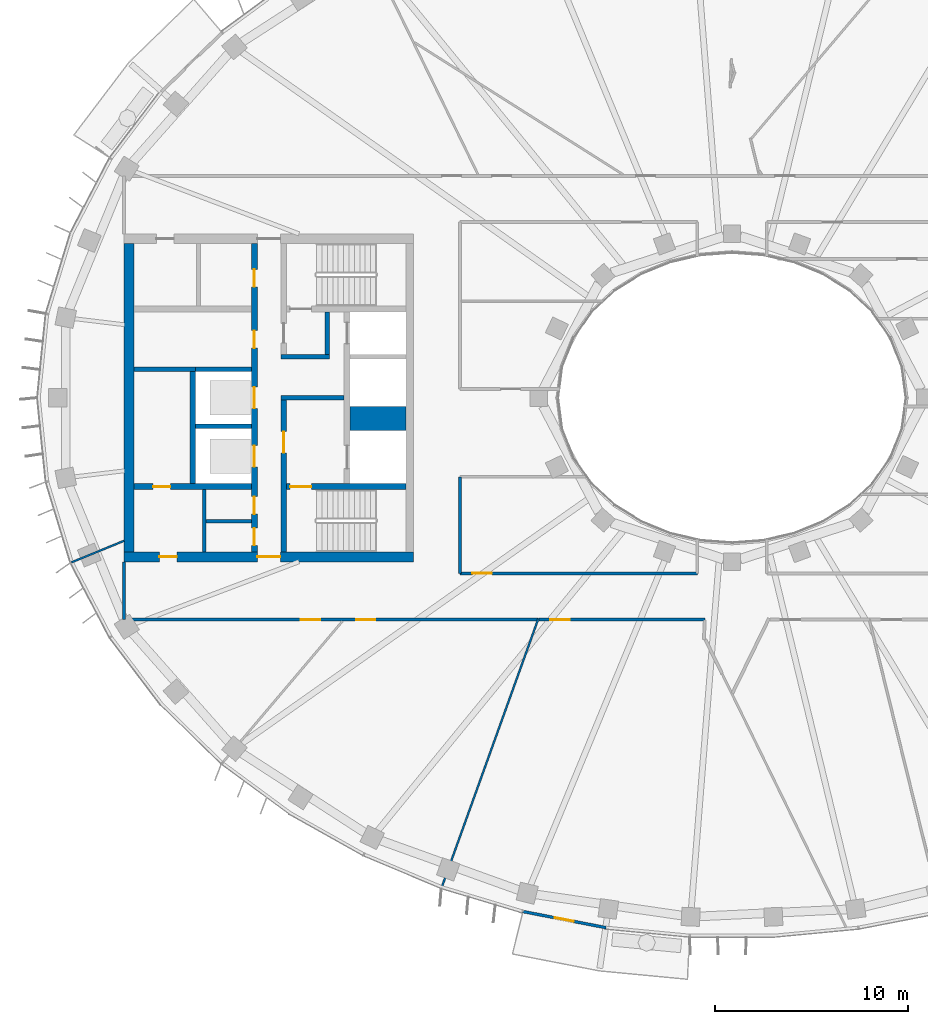
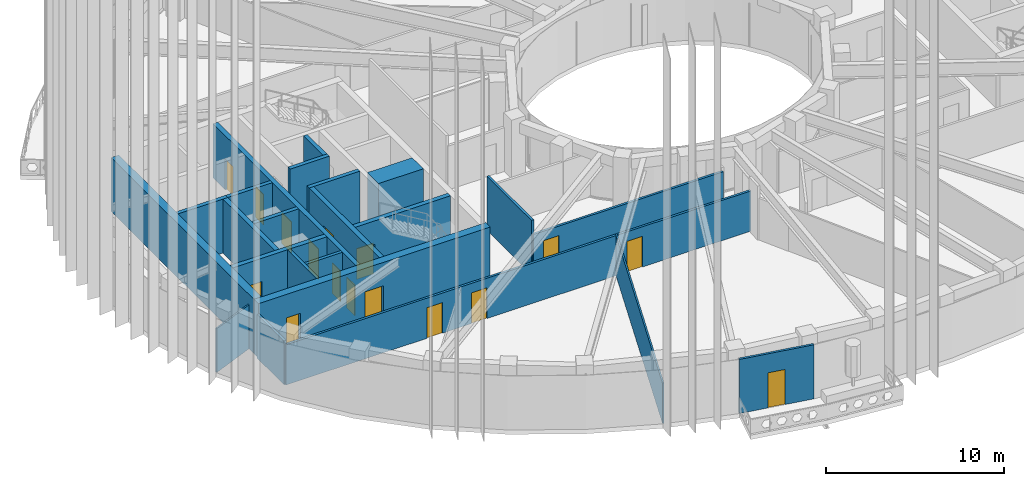
# One storey, part 3 of 17: 24 walls, 16 doors, 16 openings.
"""IFC4 building model written with IfcOpenShell, lengths in metres."""

from ifc_helpers import new_model, si_unit, direction, frame, frame_2d, origin, place, context, subcontext, project, spatial, rectangle, extrude, material, layer, layer_set, type_object, element, fill, save


model = new_model("IFC4")

# Units and contexts
model_context = context("Model", 3, precision=1e-05, world=origin(), true_north=direction((0.0, 1.0)))
body_context = subcontext(model_context, "Body", "Model", "MODEL_VIEW")
ifc_project = project(units=[si_unit("LENGTHUNIT", "METRE"), si_unit("AREAUNIT", "SQUARE_METRE"), si_unit("VOLUMEUNIT", "CUBIC_METRE"), si_unit("PLANEANGLEUNIT", "RADIAN"), si_unit("MASSUNIT", "GRAM", prefix="KILO")], contexts=[model_context])

# Site, building, storey
site_placement = place(None, origin())
site = spatial("IfcSite", under=ifc_project, at=site_placement, CompositionType="ELEMENT")
building_placement = place(site_placement, origin())
building = spatial("IfcBuilding", under=site, at=building_placement, Name="Noorbagh Ring Tower", CompositionType="ELEMENT")
storey_placement = place(building_placement, frame((0.0, 0.0, 291.0)))
storey = spatial("IfcBuildingStorey", under=building, at=storey_placement, Name="L62", CompositionType="ELEMENT", Elevation=291.0)

# Walls
ifc_material_1 = material(Name="Gypsum board on steel studs", Category="steel")
ifc_layer_1 = layer(ifc_material_1, 0.199951171875)
ifc_layer_set_1 = layer_set([ifc_layer_1], Name="Gypsum board on steel studs")
wall_type_1 = type_object("IfcWallType", Name="CORE-PARTITION-200", PredefinedType="PARTITIONING", material=ifc_layer_set_1)
wall_1_placement = place(storey_placement, frame((-27.35009765625, -8.0, 0.0), z_axis=(0.0, 0.0, 1.0), x_axis=(0.0, 1.0, 0.0)))
element("IfcWall", 1, at=wall_1_placement, inside=storey, type_object=wall_type_1, Name="Core partition W", PredefinedType="PARTITIONING", context=body_context, shape_type="SweptSolid", body=[
    extrude(rectangle(XDim=3.25, YDim=0.199951171875, at=frame_2d((1.625, 0.0))), origin(), (0.0, 0.0, 1.0), 3.699951171875),
])
wall_2_placement = place(storey_placement, frame((-24.89990234375, -6.39990234375, 0.0), z_axis=(0.0, 0.0, 1.0), x_axis=(-1.0, 0.0, 0.0)))
element("IfcWall", 2, at=wall_2_placement, inside=storey, type_object=wall_type_1, Name="Core partition W", PredefinedType="PARTITIONING", context=body_context, shape_type="SweptSolid", body=[
    extrude(rectangle(XDim=2.35009765625, YDim=0.199951171875, at=frame_2d((1.175048828125, 0.0))), origin(), (0.0, 0.0, 1.0), 3.699951171875),
])
ifc_material_2 = material(Name="Concrete C50/60", Category="concrete")
ifc_layer_2 = layer(ifc_material_2, 1.25)
ifc_layer_set_2 = layer_set([ifc_layer_2], Name="Concrete C50/60")
wall_type_2 = type_object("IfcWallType", Name="CORE-WALL-1250-C50-60-EI120", PredefinedType="SHEAR", material=ifc_layer_set_2)
wall_3_placement = place(storey_placement, frame((-16.89990234375, -1.074951171875, 0.0), z_axis=(0.0, 0.0, 1.0), x_axis=(-1.0, 0.0, 0.0)))
element("IfcWall", 3, at=wall_3_placement, inside=storey, type_object=wall_type_2, Name="Core wall W", PredefinedType="SHEAR", context=body_context, shape_type="SweptSolid", body=[
    extrude(rectangle(XDim=2.900146484375, YDim=1.25, at=frame_2d((1.4501953125, 0.0))), origin(), (0.0, 0.0, 1.0), 3.699951171875),
])
ifc_material_3 = material(Name="Concrete C50/60", Category="concrete")
ifc_layer_3 = layer(ifc_material_3, 0.25)
ifc_layer_set_3 = layer_set([ifc_layer_3], Name="Concrete C50/60")
wall_type_3 = type_object("IfcWallType", Name="CORE-WALL-250-C50-60-EI120", PredefinedType="SHEAR", material=ifc_layer_set_3)
wall_4_placement = place(storey_placement, frame((-27.800048828125, 1.47509765625, 0.0), z_axis=(0.0, 0.0, 1.0), x_axis=(-1.0, 0.0, 0.0)))
element("IfcWall", 4, at=wall_4_placement, inside=storey, type_object=wall_type_3, Name="Core wall W", PredefinedType="SHEAR", context=body_context, shape_type="SweptSolid", body=[
    extrude(rectangle(XDim=3.199951171875, YDim=0.25, at=frame_2d((1.60009765625, 0.0))), origin(), (0.0, 0.0, 1.0), 3.699951171875),
])
for number, where, z_axis, x_axis, name in (
    (5, (-24.89990234375, -1.47509765625, 0.0), (0.0, 0.0, 1.0), (-1.0, 0.0, 0.0), "Core wall W"),
    (6, (-24.89990234375, 1.47509765625, 0.0), (0.0, 0.0, 1.0), (-1.0, 0.0, 0.0), "Core wall W"),
):
    element("IfcWall", number, at=place(storey_placement, frame(where, z_axis=z_axis, x_axis=x_axis)), inside=storey, type_object=wall_type_3, Name=name, PredefinedType="SHEAR", context=body_context, shape_type="SweptSolid", body=[
        extrude(rectangle(XDim=2.900146484375, YDim=0.25, at=frame_2d((1.4501953125, 0.0))), origin(), (0.0, 0.0, 1.0), 3.699951171875),
    ])
ifc_material_4 = material(Name="Concrete C50/60", Category="concrete")
ifc_layer_4 = layer(ifc_material_4, 0.25)
ifc_layer_set_4 = layer_set([ifc_layer_4], Name="Concrete C50/60")
wall_type_4 = type_object("IfcWallType", Name="CORE-WALL-250-C50-60-EI240", PredefinedType="SHEAR", material=ifc_layer_set_4)
wall_5_placement = place(storey_placement, frame((-20.10009765625, 0.0, 0.0), z_axis=(0.0, 0.0, 1.0), x_axis=(-1.0, 0.0, 0.0)))
element("IfcWall", 7, at=wall_5_placement, inside=storey, type_object=wall_type_4, Name="Core wall W", PredefinedType="SHEAR", context=body_context, shape_type="SweptSolid", body=[
    extrude(rectangle(XDim=3.27978515625, YDim=0.25, at=frame_2d((1.639892578125, 0.0))), origin(), (0.0, 0.0, 1.0), 3.699951171875),
])
wall_6_placement = place(storey_placement, frame((-20.85009765625, 2.125, 0.0), z_axis=(0.0, 0.0, 1.0), x_axis=(-1.0, 0.0, 0.0)))
element("IfcWall", 8, at=wall_6_placement, inside=storey, type_object=wall_type_4, Name="Core wall W", PredefinedType="SHEAR", context=body_context, shape_type="SweptSolid", body=[
    extrude(rectangle(XDim=2.52978515625, YDim=0.25, at=frame_2d((1.264892578125, 0.0))), origin(), (0.0, 0.0, 1.0), 3.699951171875),
])
wall_7_placement = place(storey_placement, frame((-20.97509765625, 2.25, 0.0), z_axis=(0.0, 0.0, 1.0), x_axis=(0.0, 1.0, 0.0)))
element("IfcWall", 9, at=wall_7_placement, inside=storey, type_object=wall_type_4, Name="Core wall W", PredefinedType="SHEAR", context=body_context, shape_type="SweptSolid", body=[
    extrude(rectangle(XDim=2.199951171875, YDim=0.25, at=frame_2d((1.10009765625, 0.0))), origin(), (0.0, 0.0, 1.0), 3.699951171875),
])
ifc_material_5 = material(Name="Concrete C50/60", Category="concrete")
ifc_layer_5 = layer(ifc_material_5, 0.300048828125)
ifc_layer_set_5 = layer_set([ifc_layer_5], Name="Concrete C50/60")
wall_type_5 = type_object("IfcWallType", Name="CORE-WALL-300-C50-60-EI120", PredefinedType="SHEAR", material=ifc_layer_set_5)
wall_8_placement = place(storey_placement, frame((-27.949951171875, -4.449951171875, 0.0), z_axis=(0.0, 0.0, 1.0), x_axis=(0.0, 1.0, 0.0)))
element("IfcWall", 10, at=wall_8_placement, inside=storey, type_object=wall_type_5, Name="Core wall W", PredefinedType="SHEAR", context=body_context, shape_type="SweptSolid", body=[
    extrude(rectangle(XDim=5.800048828125, YDim=0.300048828125, at=frame_2d((2.89990234375, 0.0))), origin(), (0.0, 0.0, 1.0), 3.699951171875),
])

# Wall, openings, doors
wall_9_placement = place(storey_placement, frame((-24.75, -8.0, 0.0), z_axis=(0.0, 0.0, 1.0), x_axis=(0.0, 1.0, 0.0)))
wall_9 = element("IfcWall", 11, at=wall_9_placement, inside=storey, type_object=wall_type_5, Name="Core wall W", PredefinedType="SHEAR", context=body_context, shape_type="SweptSolid", body=[
    extrude(rectangle(XDim=16.0, YDim=0.300048828125, at=frame_2d((8.0, 0.0))), origin(), (0.0, 0.0, 1.0), 3.699951171875),
])
opening_1_placement = place(wall_9_placement, frame((4.425048828125, 0.0, 0.0)))
opening_1 = element("IfcOpeningElement", 12, at=opening_1_placement, cuts=wall_9, Name="Opening L62-CW03", PredefinedType="OPENING", context=body_context, shape_type="SweptSolid", body=[
    extrude(rectangle(XDim=1.10009765625, YDim=2.10009765625, at=frame_2d((0.550048828125, 1.050048828125))), frame((0.0, 0.16015625, 0.0), z_axis=(0.0, -1.0, 0.0), x_axis=(1.0, 0.0, 0.0)), (0.0, 0.0, 1.0), 0.320068359375),
])
opening_2_placement = place(wall_9_placement, frame((7.449951171875, 0.0, 0.0)))
opening_2 = element("IfcOpeningElement", 13, at=opening_2_placement, cuts=wall_9, Name="Opening L62-CW04", PredefinedType="OPENING", context=body_context, shape_type="SweptSolid", body=[
    extrude(rectangle(XDim=1.10009765625, YDim=2.10009765625, at=frame_2d((0.550048828125, 1.050048828125))), frame((0.0, 0.16015625, 0.0), z_axis=(0.0, -1.0, 0.0), x_axis=(1.0, 0.0, 0.0)), (0.0, 0.0, 1.0), 0.320068359375),
])
opening_3_placement = place(wall_9_placement, frame((10.574951171875, 0.0, 0.0)))
opening_3 = element("IfcOpeningElement", 14, at=opening_3_placement, cuts=wall_9, Name="Opening L62-CW11", PredefinedType="OPENING", context=body_context, shape_type="SweptSolid", body=[
    extrude(rectangle(XDim=0.89990234375, YDim=2.10009765625, at=frame_2d((0.449951171875, 1.050048828125))), frame((0.0, 0.16015625, 0.0), z_axis=(0.0, -1.0, 0.0), x_axis=(1.0, 0.0, 0.0)), (0.0, 0.0, 1.0), 0.320068359375),
])
opening_4_placement = place(wall_9_placement, frame((13.75, 0.0, 0.0)))
opening_4 = element("IfcOpeningElement", 15, at=opening_4_placement, cuts=wall_9, Name="Opening L62-CW12", PredefinedType="OPENING", context=body_context, shape_type="SweptSolid", body=[
    extrude(rectangle(XDim=0.89990234375, YDim=2.10009765625, at=frame_2d((0.449951171875, 1.050048828125))), frame((0.0, 0.16015625, 0.0), z_axis=(0.0, -1.0, 0.0), x_axis=(1.0, 0.0, 0.0)), (0.0, 0.0, 1.0), 0.320068359375),
])
opening_5_placement = place(wall_9_placement, frame((1.97509765625, 0.0, 0.0)))
opening_5 = element("IfcOpeningElement", 16, at=opening_5_placement, cuts=wall_9, Name="Opening L62-CW14", PredefinedType="OPENING", context=body_context, shape_type="SweptSolid", body=[
    extrude(rectangle(XDim=0.89990234375, YDim=2.10009765625, at=frame_2d((0.449951171875, 1.050048828125))), frame((0.0, 0.16015625, 0.0), z_axis=(0.0, -1.0, 0.0), x_axis=(1.0, 0.0, 0.0)), (0.0, 0.0, 1.0), 0.320068359375),
])
opening_6_placement = place(wall_9_placement, frame((0.35009765625, 0.0, 0.0)))
opening_6 = element("IfcOpeningElement", 17, at=opening_6_placement, cuts=wall_9, Name="Opening L62-CW15", PredefinedType="OPENING", context=body_context, shape_type="SweptSolid", body=[
    extrude(rectangle(XDim=0.89990234375, YDim=2.10009765625, at=frame_2d((0.449951171875, 1.050048828125))), frame((0.0, 0.16015625, 0.0), z_axis=(0.0, -1.0, 0.0), x_axis=(1.0, 0.0, 0.0)), (0.0, 0.0, 1.0), 0.320068359375),
])
ifc_material_6 = material(Name="Steel door leaf", Category="steel")
door_type_1 = type_object("IfcDoorType", Name="CORE-DOOR-DROOM", OperationType="SINGLE_SWING_LEFT", PredefinedType="DOOR", material=ifc_material_6)
door_1_placement = place(opening_3_placement, origin())
door_1 = element("IfcDoor", 18, at=door_1_placement, inside=storey, type_object=door_type_1, Name="Core room door L62-CW11", OperationType="SINGLE_SWING_RIGHT", OverallHeight=2.10009765625, OverallWidth=0.89990234375, PredefinedType="DOOR", context=body_context, shape_type="SweptSolid", body=[
    extrude(rectangle(XDim=0.89990234375, YDim=2.10009765625, at=frame_2d((0.449951171875, 1.050048828125))), frame((0.0, 0.02490234375, 0.0), z_axis=(0.0, -1.0, 0.0), x_axis=(1.0, 0.0, 0.0)), (0.0, 0.0, 1.0), 0.050048828125),
])
fill(opening_3, door_1)
door_2_placement = place(opening_4_placement, origin())
door_2 = element("IfcDoor", 19, at=door_2_placement, inside=storey, type_object=door_type_1, Name="Core room door L62-CW12", OperationType="SINGLE_SWING_RIGHT", OverallHeight=2.10009765625, OverallWidth=0.89990234375, PredefinedType="DOOR", context=body_context, shape_type="SweptSolid", body=[
    extrude(rectangle(XDim=0.89990234375, YDim=2.10009765625, at=frame_2d((0.449951171875, 1.050048828125))), frame((0.0, 0.02490234375, 0.0), z_axis=(0.0, -1.0, 0.0), x_axis=(1.0, 0.0, 0.0)), (0.0, 0.0, 1.0), 0.050048828125),
])
fill(opening_4, door_2)
door_3_placement = place(opening_5_placement, origin())
door_3 = element("IfcDoor", 20, at=door_3_placement, inside=storey, type_object=door_type_1, Name="Core room door L62-CW14", OperationType="SINGLE_SWING_RIGHT", OverallHeight=2.10009765625, OverallWidth=0.89990234375, PredefinedType="DOOR", context=body_context, shape_type="SweptSolid", body=[
    extrude(rectangle(XDim=0.89990234375, YDim=2.10009765625, at=frame_2d((0.449951171875, 1.050048828125))), frame((0.0, 0.02490234375, 0.0), z_axis=(0.0, -1.0, 0.0), x_axis=(1.0, 0.0, 0.0)), (0.0, 0.0, 1.0), 0.050048828125),
])
fill(opening_5, door_3)
door_4_placement = place(opening_6_placement, origin())
door_4 = element("IfcDoor", 21, at=door_4_placement, inside=storey, type_object=door_type_1, Name="Core room door L62-CW15", OperationType="SINGLE_SWING_LEFT", OverallHeight=2.10009765625, OverallWidth=0.89990234375, PredefinedType="DOOR", context=body_context, shape_type="SweptSolid", body=[
    extrude(rectangle(XDim=0.89990234375, YDim=2.10009765625, at=frame_2d((0.449951171875, 1.050048828125))), frame((0.0, 0.02490234375, 0.0), z_axis=(0.0, -1.0, 0.0), x_axis=(1.0, 0.0, 0.0)), (0.0, 0.0, 1.0), 0.050048828125),
])
fill(opening_6, door_4)
ifc_material_7 = material(Name="Steel door leaf", Category="steel")
door_type_2 = type_object("IfcDoorType", Name="CORE-DOOR-LD", OperationType="DOUBLE_DOOR_SLIDING", PredefinedType="DOOR", material=ifc_material_7)
door_5_placement = place(opening_1_placement, origin())
door_5 = element("IfcDoor", 22, at=door_5_placement, inside=storey, type_object=door_type_2, Name="Landing door HR5 L62-CW03", OperationType="DOUBLE_DOOR_SLIDING", OverallHeight=2.10009765625, OverallWidth=1.10009765625, PredefinedType="DOOR", context=body_context, shape_type="SweptSolid", body=[
    extrude(rectangle(XDim=1.10009765625, YDim=2.10009765625, at=frame_2d((0.550048828125, 1.050048828125))), frame((0.0, 0.02490234375, 0.0), z_axis=(0.0, -1.0, 0.0), x_axis=(1.0, 0.0, 0.0)), (0.0, 0.0, 1.0), 0.050048828125),
])
fill(opening_1, door_5)
door_6_placement = place(opening_2_placement, origin())
door_6 = element("IfcDoor", 23, at=door_6_placement, inside=storey, type_object=door_type_2, Name="Landing door HR6 L62-CW04", OperationType="DOUBLE_DOOR_SLIDING", OverallHeight=2.10009765625, OverallWidth=1.10009765625, PredefinedType="DOOR", context=body_context, shape_type="SweptSolid", body=[
    extrude(rectangle(XDim=1.10009765625, YDim=2.10009765625, at=frame_2d((0.550048828125, 1.050048828125))), frame((0.0, 0.02490234375, 0.0), z_axis=(0.0, -1.0, 0.0), x_axis=(1.0, 0.0, 0.0)), (0.0, 0.0, 1.0), 0.050048828125),
])
fill(opening_2, door_6)

# Wall, opening, door
ifc_material_8 = material(Name="Concrete C50/60", Category="concrete")
ifc_layer_6 = layer(ifc_material_8, 0.300048828125)
ifc_layer_set_6 = layer_set([ifc_layer_6], Name="Concrete C50/60")
wall_type_6 = type_object("IfcWallType", Name="CORE-WALL-300-C50-60-EI240", PredefinedType="SHEAR", material=ifc_layer_set_6)
wall_10_placement = place(storey_placement, frame((-24.89990234375, -4.60009765625, 0.0), z_axis=(0.0, 0.0, 1.0), x_axis=(-1.0, 0.0, 0.0)))
wall_10 = element("IfcWall", 24, at=wall_10_placement, inside=storey, type_object=wall_type_6, Name="Core wall W", PredefinedType="SHEAR", context=body_context, shape_type="SweptSolid", body=[
    extrude(rectangle(XDim=6.10009765625, YDim=0.300048828125, at=frame_2d((3.050048828125, 0.0))), origin(), (0.0, 0.0, 1.0), 3.699951171875),
])
opening_7_placement = place(wall_10_placement, frame((4.199951171875, 0.0, 0.0)))
opening_7 = element("IfcOpeningElement", 25, at=opening_7_placement, cuts=wall_10, Name="Opening L62-CW17", PredefinedType="OPENING", context=body_context, shape_type="SweptSolid", body=[
    extrude(rectangle(XDim=0.89990234375, YDim=2.10009765625, at=frame_2d((0.449951171875, 1.050048828125))), frame((0.0, 0.16015625, 0.0), z_axis=(0.0, -1.0, 0.0), x_axis=(1.0, 0.0, 0.0)), (0.0, 0.0, 1.0), 0.320068359375),
])
door_7_placement = place(opening_7_placement, origin())
door_7 = element("IfcDoor", 26, at=door_7_placement, inside=storey, type_object=door_type_1, Name="Core room door L62-CW17", OperationType="SINGLE_SWING_RIGHT", OverallHeight=2.10009765625, OverallWidth=0.89990234375, PredefinedType="DOOR", context=body_context, shape_type="SweptSolid", body=[
    extrude(rectangle(XDim=0.89990234375, YDim=2.10009765625, at=frame_2d((0.449951171875, 1.050048828125))), frame((0.0, 0.02490234375, 0.0), z_axis=(0.0, -1.0, 0.0), x_axis=(1.0, 0.0, 0.0)), (0.0, 0.0, 1.0), 0.050048828125),
])
fill(opening_7, door_7)

wall_11_placement = place(storey_placement, frame((-23.22998046875, -8.0, 0.0), z_axis=(0.0, 0.0, 1.0), x_axis=(0.0, 1.0, 0.0)))
wall_11 = element("IfcWall", 27, at=wall_11_placement, inside=storey, type_object=wall_type_6, Name="Core wall W", PredefinedType="SHEAR", context=body_context, shape_type="SweptSolid", body=[
    extrude(rectangle(XDim=7.875, YDim=0.300048828125, at=frame_2d((3.9375, 0.0))), origin(), (0.0, 0.0, 1.0), 3.699951171875),
])
opening_8_placement = place(wall_11_placement, frame((5.14990234375, 0.0, 0.0)))
opening_8 = element("IfcOpeningElement", 28, at=opening_8_placement, cuts=wall_11, Name="Opening L62-CW07", PredefinedType="OPENING", context=body_context, shape_type="SweptSolid", body=[
    extrude(rectangle(XDim=1.10009765625, YDim=2.10009765625, at=frame_2d((0.550048828125, 1.050048828125))), frame((0.0, 0.16015625, 0.0), z_axis=(0.0, -1.0, 0.0), x_axis=(1.0, 0.0, 0.0)), (0.0, 0.0, 1.0), 0.320068359375),
])
ifc_material_9 = material(Name="Steel door leaf", Category="steel")
door_type_3 = type_object("IfcDoorType", Name="CORE-DOOR-DFF", OperationType="SINGLE_SWING_LEFT", PredefinedType="DOOR", material=ifc_material_9)
door_8_placement = place(opening_8_placement, origin())
door_8 = element("IfcDoor", 29, at=door_8_placement, inside=storey, type_object=door_type_3, Name="Firefighting lobby door L62-CW07", OperationType="SINGLE_SWING_LEFT", OverallHeight=2.10009765625, OverallWidth=1.10009765625, PredefinedType="DOOR", context=body_context, shape_type="SweptSolid", body=[
    extrude(rectangle(XDim=1.10009765625, YDim=2.10009765625, at=frame_2d((0.550048828125, 1.050048828125))), frame((0.0, 0.02490234375, 0.0), z_axis=(0.0, -1.0, 0.0), x_axis=(1.0, 0.0, 0.0)), (0.0, 0.0, 1.0), 0.050048828125),
])
fill(opening_8, door_8)

wall_12_placement = place(storey_placement, frame((-16.89990234375, -4.60009765625, 0.0), z_axis=(0.0, 0.0, 1.0), x_axis=(-1.0, 0.0, 0.0)))
wall_12 = element("IfcWall", 30, at=wall_12_placement, inside=storey, type_object=wall_type_6, Name="Core wall W", PredefinedType="SHEAR", context=body_context, shape_type="SweptSolid", body=[
    extrude(rectangle(XDim=6.18017578125, YDim=0.300048828125, at=frame_2d((3.090087890625, 0.0))), origin(), (0.0, 0.0, 1.0), 3.699951171875),
])
opening_9_placement = place(wall_12_placement, frame((4.89990234375, 0.0, 0.0)))
opening_9 = element("IfcOpeningElement", 31, at=opening_9_placement, cuts=wall_12, Name="Opening L62-CW06", PredefinedType="OPENING", context=body_context, shape_type="SweptSolid", body=[
    extrude(rectangle(XDim=1.10009765625, YDim=2.10009765625, at=frame_2d((0.550048828125, 1.050048828125))), frame((0.0, 0.16015625, 0.0), z_axis=(0.0, -1.0, 0.0), x_axis=(1.0, 0.0, 0.0)), (0.0, 0.0, 1.0), 0.320068359375),
])
ifc_material_10 = material(Name="Steel door leaf", Category="steel")
door_type_4 = type_object("IfcDoorType", Name="CORE-DOOR-DSTAIR", OperationType="SINGLE_SWING_LEFT", PredefinedType="DOOR", material=ifc_material_10)
door_9_placement = place(opening_9_placement, origin())
door_9 = element("IfcDoor", 32, at=door_9_placement, inside=storey, type_object=door_type_4, Name="Stair door ST2 L62-CW06", OperationType="SINGLE_SWING_LEFT", OverallHeight=2.10009765625, OverallWidth=1.10009765625, PredefinedType="DOOR", context=body_context, shape_type="SweptSolid", body=[
    extrude(rectangle(XDim=1.10009765625, YDim=2.10009765625, at=frame_2d((0.550048828125, 1.050048828125))), frame((0.0, 0.02490234375, 0.0), z_axis=(0.0, -1.0, 0.0), x_axis=(1.0, 0.0, 0.0)), (0.0, 0.0, 1.0), 0.050048828125),
])
fill(opening_9, door_9)

# Wall, openings, doors
ifc_material_11 = material(Name="Concrete C50/60", Category="concrete")
ifc_layer_7 = layer(ifc_material_11, 0.5)
ifc_layer_set_7 = layer_set([ifc_layer_7], Name="Concrete C50/60")
wall_type_7 = type_object("IfcWallType", Name="CORE-WALL-500-C50-60-EI240", PredefinedType="SHEAR", material=ifc_layer_set_7)
wall_13_placement = place(storey_placement, frame((-16.5, -8.25, 0.0), z_axis=(0.0, 0.0, 1.0), x_axis=(-1.0, 0.0, 0.0)))
wall_13 = element("IfcWall", 33, at=wall_13_placement, inside=storey, type_object=wall_type_7, Name="Core wall W", PredefinedType="SHEAR", context=body_context, shape_type="SweptSolid", body=[
    extrude(rectangle(XDim=15.0, YDim=0.5, at=frame_2d((7.5, 0.0))), origin(), (0.0, 0.0, 1.0), 3.699951171875),
])
opening_10_placement = place(wall_13_placement, frame((6.89990234375, 0.0, 0.0)))
opening_10 = element("IfcOpeningElement", 34, at=opening_10_placement, cuts=wall_13, Name="Opening L62-CW10", PredefinedType="OPENING", context=body_context, shape_type="SweptSolid", body=[
    extrude(rectangle(XDim=1.199951171875, YDim=2.10009765625, at=frame_2d((0.60009765625, 1.050048828125))), frame((0.0, 0.260009765625, 0.0), z_axis=(0.0, -1.0, 0.0), x_axis=(1.0, 0.0, 0.0)), (0.0, 0.0, 1.0), 0.52001953125),
])
opening_11_placement = place(wall_13_placement, frame((12.27490234375, 0.0, 0.0)))
opening_11 = element("IfcOpeningElement", 35, at=opening_11_placement, cuts=wall_13, Name="Opening L62-CW16", PredefinedType="OPENING", context=body_context, shape_type="SweptSolid", body=[
    extrude(rectangle(XDim=0.89990234375, YDim=2.10009765625, at=frame_2d((0.449951171875, 1.050048828125))), frame((0.0, 0.260009765625, 0.0), z_axis=(0.0, -1.0, 0.0), x_axis=(1.0, 0.0, 0.0)), (0.0, 0.0, 1.0), 0.52001953125),
])
door_10_placement = place(opening_11_placement, origin())
door_10 = element("IfcDoor", 36, at=door_10_placement, inside=storey, type_object=door_type_1, Name="Core room door L62-CW16", OperationType="SINGLE_SWING_LEFT", OverallHeight=2.10009765625, OverallWidth=0.89990234375, PredefinedType="DOOR", context=body_context, shape_type="SweptSolid", body=[
    extrude(rectangle(XDim=0.89990234375, YDim=2.10009765625, at=frame_2d((0.449951171875, 1.050048828125))), frame((0.0, 0.02490234375, 0.0), z_axis=(0.0, -1.0, 0.0), x_axis=(1.0, 0.0, 0.0)), (0.0, 0.0, 1.0), 0.050048828125),
])
fill(opening_11, door_10)
ifc_material_12 = material(Name="Steel door leaf", Category="steel")
door_type_5 = type_object("IfcDoorType", Name="CORE-DOOR-PORT", OperationType="DOUBLE_DOOR_DOUBLE_SWING", PredefinedType="DOOR", material=ifc_material_12)
door_11_placement = place(opening_10_placement, origin())
door_11 = element("IfcDoor", 37, at=door_11_placement, inside=storey, type_object=door_type_5, Name="Core entrance door L62-CW10", OperationType="DOUBLE_DOOR_DOUBLE_SWING", OverallHeight=2.10009765625, OverallWidth=1.199951171875, PredefinedType="DOOR", context=body_context, shape_type="SweptSolid", body=[
    extrude(rectangle(XDim=1.199951171875, YDim=2.10009765625, at=frame_2d((0.60009765625, 1.050048828125))), frame((0.0, 0.02490234375, 0.0), z_axis=(0.0, -1.0, 0.0), x_axis=(1.0, 0.0, 0.0)), (0.0, 0.0, 1.0), 0.050048828125),
])
fill(opening_10, door_11)

# Walls
wall_14_placement = place(storey_placement, frame((-31.25, -8.0, 0.0), z_axis=(0.0, 0.0, 1.0), x_axis=(0.0, 1.0, 0.0)))
element("IfcWall", 38, at=wall_14_placement, inside=storey, type_object=wall_type_7, Name="Core wall W", PredefinedType="SHEAR", context=body_context, shape_type="SweptSolid", body=[
    extrude(rectangle(XDim=16.0, YDim=0.5, at=frame_2d((8.0, 0.0))), origin(), (0.0, 0.0, 1.0), 3.699951171875),
])
ifc_material_13 = material(Name="Gypsum board on steel studs", Category="steel")
ifc_layer_8 = layer(ifc_material_13, 0.14990234375)
ifc_layer_set_8 = layer_set([ifc_layer_8], Name="Gypsum board on steel studs")
wall_type_8 = type_object("IfcWallType", Name="CORRIDOR PARTITION 150 EI 30", PredefinedType="PARTITIONING", material=ifc_layer_set_8)
wall_15_placement = place(storey_placement, frame((-31.5, -11.5, 0.0), z_axis=(0.0, 0.0, 1.0), x_axis=(0.0, 1.0, 0.0)))
element("IfcWall", 39, at=wall_15_placement, inside=storey, type_object=wall_type_8, Name="L62/wall/P02", PredefinedType="PARTITIONING", context=body_context, shape_type="SweptSolid", body=[
    extrude(rectangle(XDim=3.0, YDim=0.14990234375, at=frame_2d((1.5, 0.0))), origin(), (0.0, 0.0, 1.0), 3.0),
])

# Wall, openings, doors
wall_16_placement = place(storey_placement, frame((-31.5, -11.5, 0.0), z_axis=(0.0, 0.0, 1.0), x_axis=(1.0, 0.0, 0.0)))
wall_16 = element("IfcWall", 40, at=wall_16_placement, inside=storey, type_object=wall_type_8, Name="L62/wall/P03", PredefinedType="PARTITIONING", context=body_context, shape_type="SweptSolid", body=[
    extrude(rectangle(XDim=21.431884765625, YDim=0.14990234375, at=frame_2d((10.7158203125, 0.0))), origin(), (0.0, 0.0, 1.0), 2.75),
])
opening_12_placement = place(wall_16_placement, frame((9.14990234375, 0.0, 0.0)))
opening_12 = element("IfcOpeningElement", 41, at=opening_12_placement, cuts=wall_16, Name="Opening D1", PredefinedType="OPENING", context=body_context, shape_type="SweptSolid", body=[
    extrude(rectangle(XDim=1.0, YDim=2.10009765625, at=frame_2d((0.5, 1.050048828125))), frame((0.0, 0.0849609375, 0.0), z_axis=(0.0, -1.0, 0.0), x_axis=(1.0, 0.0, 0.0)), (0.0, 0.0, 1.0), 0.169921875),
])
opening_13_placement = place(wall_16_placement, frame((12.02099609375, 0.0, 0.0)))
opening_13 = element("IfcOpeningElement", 42, at=opening_13_placement, cuts=wall_16, Name="Opening D1", PredefinedType="OPENING", context=body_context, shape_type="SweptSolid", body=[
    extrude(rectangle(XDim=1.0, YDim=2.10009765625, at=frame_2d((0.5, 1.050048828125))), frame((0.0, 0.0849609375, 0.0), z_axis=(0.0, -1.0, 0.0), x_axis=(1.0, 0.0, 0.0)), (0.0, 0.0, 1.0), 0.169921875),
])
ifc_material_14 = material(Name="Timber, painted", Category="wood")
door_type_6 = type_object("IfcDoorType", Name="DOOR 1000 X 2100 FD30", OperationType="SINGLE_SWING_LEFT", PredefinedType="DOOR", material=ifc_material_14)
door_12_placement = place(opening_12_placement, origin())
door_12 = element("IfcDoor", 43, at=door_12_placement, inside=storey, type_object=door_type_6, Name="L62-D06", OperationType="SINGLE_SWING_RIGHT", OverallHeight=2.10009765625, OverallWidth=1.0, PredefinedType="DOOR", context=body_context, shape_type="SweptSolid", body=[
    extrude(rectangle(XDim=1.0, YDim=2.10009765625, at=frame_2d((0.5, 1.050048828125))), frame((0.0, 0.02490234375, 0.0), z_axis=(0.0, -1.0, 0.0), x_axis=(1.0, 0.0, 0.0)), (0.0, 0.0, 1.0), 0.050048828125),
])
fill(opening_12, door_12)
door_13_placement = place(opening_13_placement, origin())
door_13 = element("IfcDoor", 44, at=door_13_placement, inside=storey, type_object=door_type_6, Name="L62-D07", OperationType="SINGLE_SWING_LEFT", OverallHeight=2.10009765625, OverallWidth=1.0, PredefinedType="DOOR", context=body_context, shape_type="SweptSolid", body=[
    extrude(rectangle(XDim=1.0, YDim=2.10009765625, at=frame_2d((0.5, 1.050048828125))), frame((0.0, 0.02490234375, 0.0), z_axis=(0.0, -1.0, 0.0), x_axis=(1.0, 0.0, 0.0)), (0.0, 0.0, 1.0), 0.050048828125),
])
fill(opening_13, door_13)

# Wall
wall_17_placement = place(storey_placement, frame((-14.10009765625, -9.10009765625, 0.0), z_axis=(0.0, 0.0, 1.0), x_axis=(0.0, 1.0, 0.0)))
element("IfcWall", 45, at=wall_17_placement, inside=storey, type_object=wall_type_8, Name="L62/wall/P10", PredefinedType="PARTITIONING", context=body_context, shape_type="SweptSolid", body=[
    extrude(rectangle(XDim=5.005126953125, YDim=0.14990234375, at=frame_2d((2.50244140625, 0.0))), origin(), (0.0, 0.0, 1.0), 3.699951171875),
])

# Wall, opening, door
wall_18_placement = place(storey_placement, frame((-14.10009765625, -9.10009765625, 0.0), z_axis=(0.0, 0.0, 1.0), x_axis=(1.0, 0.0, 0.0)))
wall_18 = element("IfcWall", 46, at=wall_18_placement, inside=storey, type_object=wall_type_8, Name="L62/wall/P11", PredefinedType="PARTITIONING", context=body_context, shape_type="SweptSolid", body=[
    extrude(rectangle(XDim=12.300048828125, YDim=0.14990234375, at=frame_2d((6.14990234375, 0.0))), origin(), (0.0, 0.0, 1.0), 2.75),
])
opening_14_placement = place(wall_18_placement, frame((0.64990234375, 0.0, 0.0)))
opening_14 = element("IfcOpeningElement", 47, at=opening_14_placement, cuts=wall_18, Name="Opening D1", PredefinedType="OPENING", context=body_context, shape_type="SweptSolid", body=[
    extrude(rectangle(XDim=1.0, YDim=2.10009765625, at=frame_2d((0.5, 1.050048828125))), frame((0.0, 0.0849609375, 0.0), z_axis=(0.0, -1.0, 0.0), x_axis=(1.0, 0.0, 0.0)), (0.0, 0.0, 1.0), 0.169921875),
])
door_14_placement = place(opening_14_placement, origin())
door_14 = element("IfcDoor", 48, at=door_14_placement, inside=storey, type_object=door_type_6, Name="L62-D18", OperationType="SINGLE_SWING_RIGHT", OverallHeight=2.10009765625, OverallWidth=1.0, PredefinedType="DOOR", context=body_context, shape_type="SweptSolid", body=[
    extrude(rectangle(XDim=1.0, YDim=2.10009765625, at=frame_2d((0.5, 1.050048828125))), frame((0.0, 0.02490234375, 0.0), z_axis=(0.0, -1.0, 0.0), x_axis=(1.0, 0.0, 0.0)), (0.0, 0.0, 1.0), 0.050048828125),
])
fill(opening_14, door_14)

wall_19_placement = place(storey_placement, frame((-10.0029296875, -11.5, 0.0), z_axis=(0.0, 0.0, 1.0), x_axis=(1.0, 0.0, 0.0)))
wall_19 = element("IfcWall", 49, at=wall_19_placement, inside=storey, type_object=wall_type_8, Name="L62/wall/P17", PredefinedType="PARTITIONING", context=body_context, shape_type="SweptSolid", body=[
    extrude(rectangle(XDim=8.599853515625, YDim=0.14990234375, at=frame_2d((4.2998046875, 0.0))), origin(), (0.0, 0.0, 1.0), 2.75),
])
opening_15_placement = place(wall_19_placement, frame((0.5849609375, 0.0, 0.0)))
opening_15 = element("IfcOpeningElement", 50, at=opening_15_placement, cuts=wall_19, Name="Opening D1", PredefinedType="OPENING", context=body_context, shape_type="SweptSolid", body=[
    extrude(rectangle(XDim=1.0, YDim=2.10009765625, at=frame_2d((0.5, 1.050048828125))), frame((0.0, 0.0849609375, 0.0), z_axis=(0.0, -1.0, 0.0), x_axis=(1.0, 0.0, 0.0)), (0.0, 0.0, 1.0), 0.169921875),
])
door_15_placement = place(opening_15_placement, origin())
door_15 = element("IfcDoor", 51, at=door_15_placement, inside=storey, type_object=door_type_6, Name="L62-D09", OperationType="SINGLE_SWING_LEFT", OverallHeight=2.10009765625, OverallWidth=1.0, PredefinedType="DOOR", context=body_context, shape_type="SweptSolid", body=[
    extrude(rectangle(XDim=1.0, YDim=2.10009765625, at=frame_2d((0.5, 1.050048828125))), frame((0.0, 0.02490234375, 0.0), z_axis=(0.0, -1.0, 0.0), x_axis=(1.0, 0.0, 0.0)), (0.0, 0.0, 1.0), 0.050048828125),
])
fill(opening_15, door_15)

ifc_material_15 = material(Name="Insulated aluminium clad panel", Category="aluminium")
ifc_layer_9 = layer(ifc_material_15, 0.14990234375)
ifc_layer_set_9 = layer_set([ifc_layer_9], Name="Insulated aluminium clad panel")
wall_type_9 = type_object("IfcWallType", Name="ENV-WALL-DOOR", PredefinedType="STANDARD", material=ifc_layer_set_9)
wall_20_placement = place(storey_placement, frame((-10.87060546875, -26.616943359375, 0.0), z_axis=(0.0, 0.0, 1.0), x_axis=(0.981631174778, -0.190788460615, 0.0)))
wall_20 = element("IfcWall", 52, at=wall_20_placement, inside=storey, type_object=wall_type_9, Name="Balcony door wall chord 33", PredefinedType="STANDARD", context=body_context, shape_type="SweptSolid", body=[
    extrude(rectangle(XDim=4.42626953125, YDim=0.14990234375, at=frame_2d((2.213134765625, 0.0))), origin(), (0.0, 0.0, 1.0), 3.699951171875),
])
opening_16_placement = place(wall_20_placement, frame((1.713134765625, 0.0, 0.0)))
opening_16 = element("IfcOpeningElement", 53, at=opening_16_placement, cuts=wall_20, Name="Opening D-BL", PredefinedType="OPENING", context=body_context, shape_type="SweptSolid", body=[
    extrude(rectangle(XDim=1.0, YDim=2.39990234375, at=frame_2d((0.5, 1.199951171875))), frame((0.0, 0.0849609375, 0.0), z_axis=(0.0, -1.0, 0.0), x_axis=(1.0, 0.0, 0.0)), (0.0, 0.0, 1.0), 0.169921875),
])
ifc_material_16 = material(Name="Aluminium and glass", Category="aluminium")
door_type_7 = type_object("IfcDoorType", Name="ENV-DOOR-BALCONY", OperationType="SINGLE_SWING_LEFT", PredefinedType="DOOR", material=ifc_material_16)
door_16_placement = place(opening_16_placement, origin())
door_16 = element("IfcDoor", 54, at=door_16_placement, inside=storey, type_object=door_type_7, Name="Balcony door chord 33", OperationType="SINGLE_SWING_LEFT", OverallHeight=2.39990234375, OverallWidth=1.0, PredefinedType="DOOR", context=body_context, shape_type="SweptSolid", body=[
    extrude(rectangle(XDim=1.0, YDim=2.39990234375, at=frame_2d((0.5, 1.199951171875))), frame((0.0, 0.02490234375, 0.0), z_axis=(0.0, -1.0, 0.0), x_axis=(1.0, 0.0, 0.0)), (0.0, 0.0, 1.0), 0.050048828125),
])
fill(opening_16, door_16)

# Walls
ifc_material_17 = material(Name="Gypsum board on steel studs", Category="steel")
ifc_layer_10 = layer(ifc_material_17, 0.10009765625)
ifc_layer_set_10 = layer_set([ifc_layer_10], Name="Gypsum board on steel studs")
wall_type_10 = type_object("IfcWallType", Name="PARTITION 100 GYPSUM", PredefinedType="PARTITIONING", material=ifc_layer_set_10)
wall_21_placement = place(storey_placement, frame((-34.23388671875, -8.530029296875, 0.0), z_axis=(0.0, 0.0, 1.0), x_axis=(0.925344112436, 0.379128307542, 0.0)))
element("IfcWall", 55, at=wall_21_placement, inside=storey, type_object=wall_type_10, Name="L62/wall/P01", PredefinedType="PARTITIONING", context=body_context, shape_type="SweptSolid", body=[
    extrude(rectangle(XDim=2.954345703125, YDim=0.10009765625, at=frame_2d((1.47705078125, 0.0))), origin(), (0.0, 0.0, 1.0), 3.0),
])
wall_22_placement = place(storey_placement, frame((-15.049072265625, -25.383056640625, 0.0), z_axis=(0.0, 0.0, 1.0), x_axis=(0.338454781071, 0.94098265721, 0.0)))
element("IfcWall", 56, at=wall_22_placement, inside=storey, type_object=wall_type_10, Name="L62/wall/P09", PredefinedType="PARTITIONING", context=body_context, shape_type="SweptSolid", body=[
    extrude(rectangle(XDim=14.829345703125, YDim=0.10009765625, at=frame_2d((7.41455078125, 0.0))), origin(), (0.0, 0.0, 1.0), 2.75),
])

save(model, "model.ifc")
